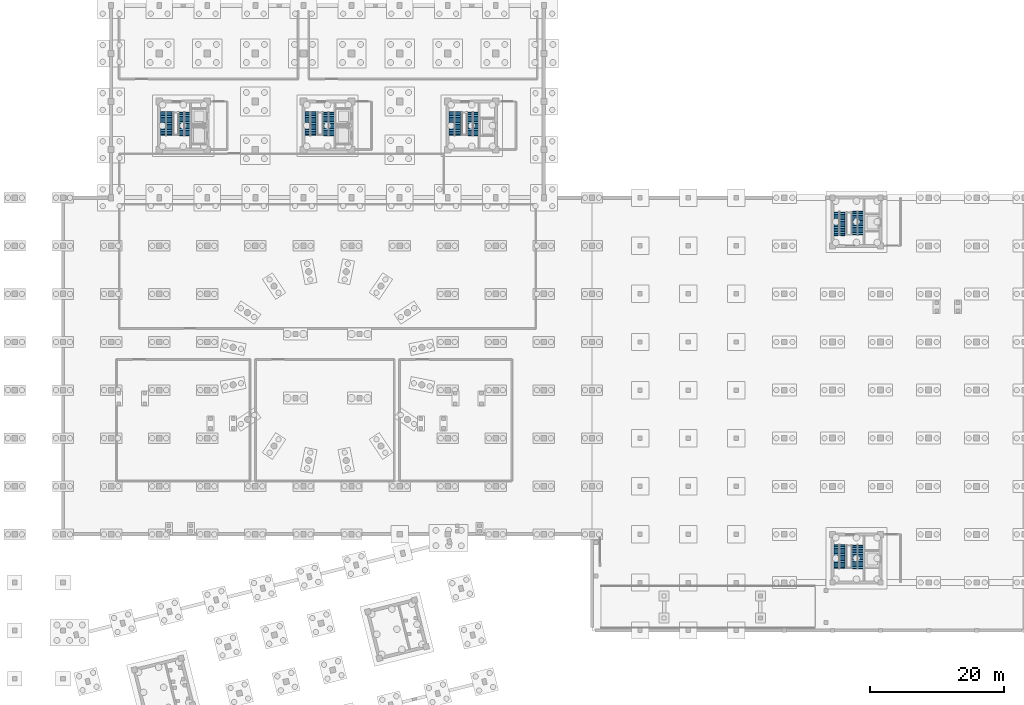
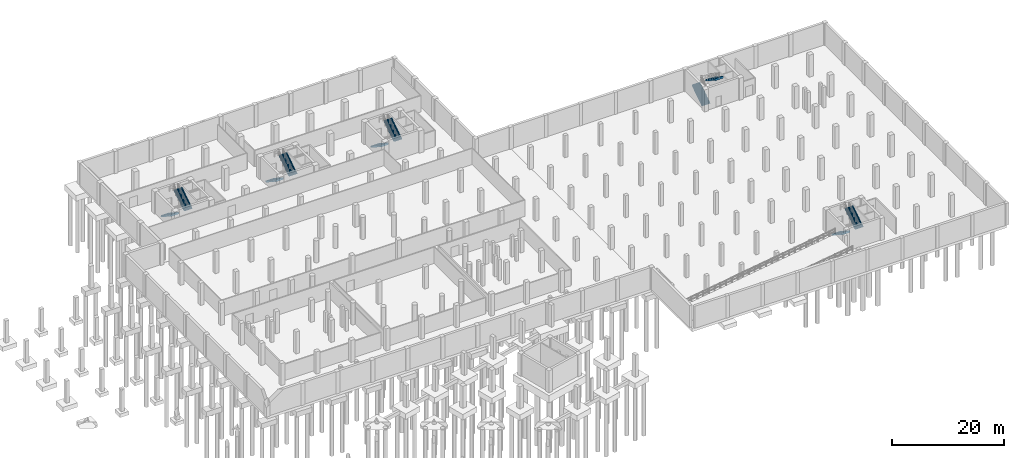
# One storey, part 15 of 19: 10 stair flights, 5 elements without a shape of their own.
"""IFC4 building model written with IfcOpenShell, lengths in metres."""

from ifc_helpers import new_model, si_unit, direction, frame, origin, place, context, subcontext, project, spatial, polyline, outline, extrude, material, type_object, element, aggregate, save


model = new_model("IFC4")

# Units and contexts
model_context = context("Model", 3, precision=1e-05, world=origin(), true_north=direction((0.0, 1.0)))
body_context = subcontext(model_context, "Body", "Model", "MODEL_VIEW")
ifc_project = project(units=[si_unit("LENGTHUNIT", "METRE"), si_unit("AREAUNIT", "SQUARE_METRE"), si_unit("VOLUMEUNIT", "CUBIC_METRE"), si_unit("PLANEANGLEUNIT", "RADIAN"), si_unit("MASSUNIT", "GRAM", prefix="KILO")], contexts=[model_context])

# Site, building, storey
site_placement = place(None, origin())
site = spatial("IfcSite", under=ifc_project, at=site_placement, CompositionType="ELEMENT")
building_placement = place(site_placement, origin())
building = spatial("IfcBuilding", under=site, at=building_placement, Name="Qiaolan Assembly House", CompositionType="ELEMENT")
storey_placement = place(building_placement, frame((0.0, 0.0, -4.800048828125)))
storey = spatial("IfcBuildingStorey", under=building, at=storey_placement, Name="B1", CompositionType="ELEMENT", Elevation=-4.800048828125)

# Stair, stair flights
ifc_material = material(Name="Concrete C40/50", Category="concrete")
stair_type = type_object("IfcStairType", Name="STR-BSMT-480", PredefinedType="HALF_TURN_STAIR", material=ifc_material)
stair_1_placement = place(storey_placement, origin())
stair_1 = element("IfcStair", 1, at=stair_1_placement, inside=storey, type_object=stair_type, Name="ST-04 enclosed egress stair CORE-A B1", PredefinedType="HALF_TURN_STAIR")
stair_flight_type = type_object("IfcStairFlightType", Name="STR-BSMT-480-FLT", PredefinedType="STRAIGHT", material=ifc_material)
stair_flight_1_placement = place(storey_placement, frame((44.25, 99.2099609375, 0.0), z_axis=(0.0, 0.0, 1.0), x_axis=(0.0, -1.0, 0.0)))
stair_flight_1 = element("IfcStairFlight", 2, at=stair_flight_1_placement, type_object=stair_flight_type, Name="ST-04F stair flight FLT-CORE-A-B1-1", NumberOfRisers=14, NumberOfTreads=13, PredefinedType="STRAIGHT", RiserHeight=0.171429, TreadLength=0.26, context=body_context, shape_type="SweptSolid", body=[
    extrude(outline(polyline([(-0.10009765625, -0.1201171875), (-0.10009765625, 0.0), (0.0, 0.0), (0.0, 0.17138671875), (0.260009765625, 0.17138671875), (0.260009765625, 0.3427734375), (0.52001953125, 0.3427734375), (0.52001953125, 0.514404296875), (0.780029296875, 0.514404296875), (0.780029296875, 0.685791015625), (1.0400390625, 0.685791015625), (1.0400390625, 0.857177734375), (1.300048828125, 0.857177734375), (1.300048828125, 1.028564453125), (1.56005859375, 1.028564453125), (1.56005859375, 1.199951171875), (1.820068359375, 1.199951171875), (1.820068359375, 1.371337890625), (2.080078125, 1.371337890625), (2.080078125, 1.54296875), (2.340087890625, 1.54296875), (2.340087890625, 1.71435546875), (2.60009765625, 1.71435546875), (2.60009765625, 1.8857421875), (2.860107421875, 1.8857421875), (2.860107421875, 2.05712890625), (3.1201171875, 2.05712890625), (3.1201171875, 2.228515625), (3.3798828125, 2.228515625), (3.3798828125, 2.39990234375), (3.5, 2.39990234375), (3.5, 1.989013671875), (3.3798828125, 1.989013671875), (0.18115234375, -0.1201171875), (-0.10009765625, -0.1201171875)])), frame((0.0, 0.83984375, 0.0), z_axis=(0.0, -1.0, 0.0), x_axis=(1.0, 0.0, 0.0)), (0.0, 0.0, 1.0), 1.679931640625),
])
stair_flight_2_placement = place(storey_placement, frame((47.0, 95.7099609375, 2.400146484375), z_axis=(0.0, 0.0, 1.0), x_axis=(0.0, 1.0, 0.0)))
stair_flight_2 = element("IfcStairFlight", 3, at=stair_flight_2_placement, type_object=stair_flight_type, Name="ST-04F stair flight FLT-CORE-A-B1-2", NumberOfRisers=14, NumberOfTreads=13, PredefinedType="STRAIGHT", RiserHeight=0.171429, TreadLength=0.26, context=body_context, shape_type="SweptSolid", body=[
    extrude(outline(polyline([(-0.10009765625, -0.1201171875), (-0.10009765625, 0.0), (0.0, 0.0), (0.0, 0.17138671875), (0.260009765625, 0.17138671875), (0.260009765625, 0.3427734375), (0.52001953125, 0.3427734375), (0.52001953125, 0.514404296875), (0.780029296875, 0.514404296875), (0.780029296875, 0.685791015625), (1.0400390625, 0.685791015625), (1.0400390625, 0.857177734375), (1.300048828125, 0.857177734375), (1.300048828125, 1.028564453125), (1.56005859375, 1.028564453125), (1.56005859375, 1.199951171875), (1.820068359375, 1.199951171875), (1.820068359375, 1.371337890625), (2.080078125, 1.371337890625), (2.080078125, 1.54296875), (2.340087890625, 1.54296875), (2.340087890625, 1.71435546875), (2.60009765625, 1.71435546875), (2.60009765625, 1.8857421875), (2.860107421875, 1.8857421875), (2.860107421875, 2.05712890625), (3.1201171875, 2.05712890625), (3.1201171875, 2.228515625), (3.3798828125, 2.228515625), (3.3798828125, 2.39990234375), (3.5, 2.39990234375), (3.5, 1.989013671875), (3.3798828125, 1.989013671875), (0.18115234375, -0.1201171875), (-0.10009765625, -0.1201171875)])), frame((0.0, 0.83984375, 0.0), z_axis=(0.0, -1.0, 0.0), x_axis=(1.0, 0.0, 0.0)), (0.0, 0.0, 1.0), 1.679931640625),
])
aggregate(stair_1, [stair_flight_1, stair_flight_2])

stair_2_placement = place(storey_placement, origin())
stair_2 = element("IfcStair", 4, at=stair_2_placement, inside=storey, type_object=stair_type, Name="ST-04 enclosed egress stair CORE-B B1", PredefinedType="HALF_TURN_STAIR")
stair_flight_3_placement = place(storey_placement, frame((65.85009765625, 99.2099609375, 0.0), z_axis=(0.0, 0.0, 1.0), x_axis=(0.0, -1.0, 0.0)))
stair_flight_3 = element("IfcStairFlight", 5, at=stair_flight_3_placement, type_object=stair_flight_type, Name="ST-04F stair flight FLT-CORE-B-B1-1", NumberOfRisers=14, NumberOfTreads=13, PredefinedType="STRAIGHT", RiserHeight=0.171429, TreadLength=0.26, context=body_context, shape_type="SweptSolid", body=[
    extrude(outline(polyline([(-0.10009765625, -0.1201171875), (-0.10009765625, 0.0), (0.0, 0.0), (0.0, 0.17138671875), (0.260009765625, 0.17138671875), (0.260009765625, 0.3427734375), (0.52001953125, 0.3427734375), (0.52001953125, 0.514404296875), (0.780029296875, 0.514404296875), (0.780029296875, 0.685791015625), (1.0400390625, 0.685791015625), (1.0400390625, 0.857177734375), (1.300048828125, 0.857177734375), (1.300048828125, 1.028564453125), (1.56005859375, 1.028564453125), (1.56005859375, 1.199951171875), (1.820068359375, 1.199951171875), (1.820068359375, 1.371337890625), (2.080078125, 1.371337890625), (2.080078125, 1.54296875), (2.340087890625, 1.54296875), (2.340087890625, 1.71435546875), (2.60009765625, 1.71435546875), (2.60009765625, 1.8857421875), (2.860107421875, 1.8857421875), (2.860107421875, 2.05712890625), (3.1201171875, 2.05712890625), (3.1201171875, 2.228515625), (3.3798828125, 2.228515625), (3.3798828125, 2.39990234375), (3.5, 2.39990234375), (3.5, 1.989013671875), (3.3798828125, 1.989013671875), (0.18115234375, -0.1201171875), (-0.10009765625, -0.1201171875)])), frame((0.0, 0.83984375, 0.0), z_axis=(0.0, -1.0, 0.0), x_axis=(1.0, 0.0, 0.0)), (0.0, 0.0, 1.0), 1.679931640625),
])
stair_flight_4_placement = place(storey_placement, frame((68.60009765625, 95.7099609375, 2.400146484375), z_axis=(0.0, 0.0, 1.0), x_axis=(0.0, 1.0, 0.0)))
stair_flight_4 = element("IfcStairFlight", 6, at=stair_flight_4_placement, type_object=stair_flight_type, Name="ST-04F stair flight FLT-CORE-B-B1-2", NumberOfRisers=14, NumberOfTreads=13, PredefinedType="STRAIGHT", RiserHeight=0.171429, TreadLength=0.26, context=body_context, shape_type="SweptSolid", body=[
    extrude(outline(polyline([(-0.10009765625, -0.1201171875), (-0.10009765625, 0.0), (0.0, 0.0), (0.0, 0.17138671875), (0.260009765625, 0.17138671875), (0.260009765625, 0.3427734375), (0.52001953125, 0.3427734375), (0.52001953125, 0.514404296875), (0.780029296875, 0.514404296875), (0.780029296875, 0.685791015625), (1.0400390625, 0.685791015625), (1.0400390625, 0.857177734375), (1.300048828125, 0.857177734375), (1.300048828125, 1.028564453125), (1.56005859375, 1.028564453125), (1.56005859375, 1.199951171875), (1.820068359375, 1.199951171875), (1.820068359375, 1.371337890625), (2.080078125, 1.371337890625), (2.080078125, 1.54296875), (2.340087890625, 1.54296875), (2.340087890625, 1.71435546875), (2.60009765625, 1.71435546875), (2.60009765625, 1.8857421875), (2.860107421875, 1.8857421875), (2.860107421875, 2.05712890625), (3.1201171875, 2.05712890625), (3.1201171875, 2.228515625), (3.3798828125, 2.228515625), (3.3798828125, 2.39990234375), (3.5, 2.39990234375), (3.5, 1.989013671875), (3.3798828125, 1.989013671875), (0.18115234375, -0.1201171875), (-0.10009765625, -0.1201171875)])), frame((0.0, 0.83984375, 0.0), z_axis=(0.0, -1.0, 0.0), x_axis=(1.0, 0.0, 0.0)), (0.0, 0.0, 1.0), 1.679931640625),
])
aggregate(stair_2, [stair_flight_3, stair_flight_4])

stair_3_placement = place(storey_placement, origin())
stair_3 = element("IfcStair", 7, at=stair_3_placement, inside=storey, type_object=stair_type, Name="ST-04 enclosed egress stair CORE-G B1", PredefinedType="HALF_TURN_STAIR")
stair_flight_5_placement = place(storey_placement, frame((87.449951171875, 99.2099609375, 0.0), z_axis=(0.0, 0.0, 1.0), x_axis=(0.0, -1.0, 0.0)))
stair_flight_5 = element("IfcStairFlight", 8, at=stair_flight_5_placement, type_object=stair_flight_type, Name="ST-04F stair flight FLT-CORE-G-B1-1", NumberOfRisers=14, NumberOfTreads=13, PredefinedType="STRAIGHT", RiserHeight=0.171429, TreadLength=0.26, context=body_context, shape_type="SweptSolid", body=[
    extrude(outline(polyline([(-0.10009765625, -0.1201171875), (-0.10009765625, 0.0), (0.0, 0.0), (0.0, 0.17138671875), (0.260009765625, 0.17138671875), (0.260009765625, 0.3427734375), (0.52001953125, 0.3427734375), (0.52001953125, 0.514404296875), (0.780029296875, 0.514404296875), (0.780029296875, 0.685791015625), (1.0400390625, 0.685791015625), (1.0400390625, 0.857177734375), (1.300048828125, 0.857177734375), (1.300048828125, 1.028564453125), (1.56005859375, 1.028564453125), (1.56005859375, 1.199951171875), (1.820068359375, 1.199951171875), (1.820068359375, 1.371337890625), (2.080078125, 1.371337890625), (2.080078125, 1.54296875), (2.340087890625, 1.54296875), (2.340087890625, 1.71435546875), (2.60009765625, 1.71435546875), (2.60009765625, 1.8857421875), (2.860107421875, 1.8857421875), (2.860107421875, 2.05712890625), (3.1201171875, 2.05712890625), (3.1201171875, 2.228515625), (3.3798828125, 2.228515625), (3.3798828125, 2.39990234375), (3.5, 2.39990234375), (3.5, 1.989013671875), (3.3798828125, 1.989013671875), (0.18115234375, -0.1201171875), (-0.10009765625, -0.1201171875)])), frame((0.0, 0.83984375, 0.0), z_axis=(0.0, -1.0, 0.0), x_axis=(1.0, 0.0, 0.0)), (0.0, 0.0, 1.0), 1.679931640625),
])
stair_flight_6_placement = place(storey_placement, frame((90.199951171875, 95.7099609375, 2.400146484375), z_axis=(0.0, 0.0, 1.0), x_axis=(0.0, 1.0, 0.0)))
stair_flight_6 = element("IfcStairFlight", 9, at=stair_flight_6_placement, type_object=stair_flight_type, Name="ST-04F stair flight FLT-CORE-G-B1-2", NumberOfRisers=14, NumberOfTreads=13, PredefinedType="STRAIGHT", RiserHeight=0.171429, TreadLength=0.26, context=body_context, shape_type="SweptSolid", body=[
    extrude(outline(polyline([(-0.10009765625, -0.1201171875), (-0.10009765625, 0.0), (0.0, 0.0), (0.0, 0.17138671875), (0.260009765625, 0.17138671875), (0.260009765625, 0.3427734375), (0.52001953125, 0.3427734375), (0.52001953125, 0.514404296875), (0.780029296875, 0.514404296875), (0.780029296875, 0.685791015625), (1.0400390625, 0.685791015625), (1.0400390625, 0.857177734375), (1.300048828125, 0.857177734375), (1.300048828125, 1.028564453125), (1.56005859375, 1.028564453125), (1.56005859375, 1.199951171875), (1.820068359375, 1.199951171875), (1.820068359375, 1.371337890625), (2.080078125, 1.371337890625), (2.080078125, 1.54296875), (2.340087890625, 1.54296875), (2.340087890625, 1.71435546875), (2.60009765625, 1.71435546875), (2.60009765625, 1.8857421875), (2.860107421875, 1.8857421875), (2.860107421875, 2.05712890625), (3.1201171875, 2.05712890625), (3.1201171875, 2.228515625), (3.3798828125, 2.228515625), (3.3798828125, 2.39990234375), (3.5, 2.39990234375), (3.5, 1.989013671875), (3.3798828125, 1.989013671875), (0.18115234375, -0.1201171875), (-0.10009765625, -0.1201171875)])), frame((0.0, 0.83984375, 0.0), z_axis=(0.0, -1.0, 0.0), x_axis=(1.0, 0.0, 0.0)), (0.0, 0.0, 1.0), 1.679931640625),
])
aggregate(stair_3, [stair_flight_5, stair_flight_6])

stair_4_placement = place(storey_placement, origin())
stair_4 = element("IfcStair", 10, at=stair_4_placement, inside=storey, type_object=stair_type, Name="ST-04 enclosed egress stair CORE-E B1", PredefinedType="HALF_TURN_STAIR")
stair_flight_7_placement = place(storey_placement, frame((145.050048828125, 34.409912109375, 0.0), z_axis=(0.0, 0.0, 1.0), x_axis=(0.0, -1.0, 0.0)))
stair_flight_7 = element("IfcStairFlight", 11, at=stair_flight_7_placement, type_object=stair_flight_type, Name="ST-04F stair flight FLT-CORE-E-B1-1", NumberOfRisers=14, NumberOfTreads=13, PredefinedType="STRAIGHT", RiserHeight=0.171429, TreadLength=0.26, context=body_context, shape_type="SweptSolid", body=[
    extrude(outline(polyline([(-0.10009765625, -0.1201171875), (-0.10009765625, 0.0), (0.0, 0.0), (0.0, 0.17138671875), (0.260009765625, 0.17138671875), (0.260009765625, 0.3427734375), (0.52001953125, 0.3427734375), (0.52001953125, 0.514404296875), (0.780029296875, 0.514404296875), (0.780029296875, 0.685791015625), (1.0400390625, 0.685791015625), (1.0400390625, 0.857177734375), (1.300048828125, 0.857177734375), (1.300048828125, 1.028564453125), (1.56005859375, 1.028564453125), (1.56005859375, 1.199951171875), (1.820068359375, 1.199951171875), (1.820068359375, 1.371337890625), (2.080078125, 1.371337890625), (2.080078125, 1.54296875), (2.340087890625, 1.54296875), (2.340087890625, 1.71435546875), (2.60009765625, 1.71435546875), (2.60009765625, 1.8857421875), (2.860107421875, 1.8857421875), (2.860107421875, 2.05712890625), (3.1201171875, 2.05712890625), (3.1201171875, 2.228515625), (3.3798828125, 2.228515625), (3.3798828125, 2.39990234375), (3.5, 2.39990234375), (3.5, 1.989013671875), (3.3798828125, 1.989013671875), (0.18115234375, -0.1201171875), (-0.10009765625, -0.1201171875)])), frame((0.0, 0.83984375, 0.0), z_axis=(0.0, -1.0, 0.0), x_axis=(1.0, 0.0, 0.0)), (0.0, 0.0, 1.0), 1.679931640625),
])
stair_flight_8_placement = place(storey_placement, frame((147.800048828125, 30.909912109375, 2.400146484375), z_axis=(0.0, 0.0, 1.0), x_axis=(0.0, 1.0, 0.0)))
stair_flight_8 = element("IfcStairFlight", 12, at=stair_flight_8_placement, type_object=stair_flight_type, Name="ST-04F stair flight FLT-CORE-E-B1-2", NumberOfRisers=14, NumberOfTreads=13, PredefinedType="STRAIGHT", RiserHeight=0.171429, TreadLength=0.26, context=body_context, shape_type="SweptSolid", body=[
    extrude(outline(polyline([(-0.10009765625, -0.1201171875), (-0.10009765625, 0.0), (0.0, 0.0), (0.0, 0.17138671875), (0.260009765625, 0.17138671875), (0.260009765625, 0.3427734375), (0.52001953125, 0.3427734375), (0.52001953125, 0.514404296875), (0.780029296875, 0.514404296875), (0.780029296875, 0.685791015625), (1.0400390625, 0.685791015625), (1.0400390625, 0.857177734375), (1.300048828125, 0.857177734375), (1.300048828125, 1.028564453125), (1.56005859375, 1.028564453125), (1.56005859375, 1.199951171875), (1.820068359375, 1.199951171875), (1.820068359375, 1.371337890625), (2.080078125, 1.371337890625), (2.080078125, 1.54296875), (2.340087890625, 1.54296875), (2.340087890625, 1.71435546875), (2.60009765625, 1.71435546875), (2.60009765625, 1.8857421875), (2.860107421875, 1.8857421875), (2.860107421875, 2.05712890625), (3.1201171875, 2.05712890625), (3.1201171875, 2.228515625), (3.3798828125, 2.228515625), (3.3798828125, 2.39990234375), (3.5, 2.39990234375), (3.5, 1.989013671875), (3.3798828125, 1.989013671875), (0.18115234375, -0.1201171875), (-0.10009765625, -0.1201171875)])), frame((0.0, 0.83984375, 0.0), z_axis=(0.0, -1.0, 0.0), x_axis=(1.0, 0.0, 0.0)), (0.0, 0.0, 1.0), 1.679931640625),
])
aggregate(stair_4, [stair_flight_7, stair_flight_8])

stair_5_placement = place(storey_placement, origin())
stair_5 = element("IfcStair", 13, at=stair_5_placement, inside=storey, type_object=stair_type, Name="ST-04 enclosed egress stair CORE-F B1", PredefinedType="HALF_TURN_STAIR")
stair_flight_9_placement = place(storey_placement, frame((145.050048828125, 80.7900390625, 0.0), z_axis=(0.0, 0.0, 1.0), x_axis=(0.0, 1.0, 0.0)))
stair_flight_9 = element("IfcStairFlight", 14, at=stair_flight_9_placement, type_object=stair_flight_type, Name="ST-04F stair flight FLT-CORE-F-B1-1", NumberOfRisers=14, NumberOfTreads=13, PredefinedType="STRAIGHT", RiserHeight=0.171429, TreadLength=0.26, context=body_context, shape_type="SweptSolid", body=[
    extrude(outline(polyline([(-0.10009765625, -0.1201171875), (-0.10009765625, 0.0), (0.0, 0.0), (0.0, 0.17138671875), (0.260009765625, 0.17138671875), (0.260009765625, 0.3427734375), (0.52001953125, 0.3427734375), (0.52001953125, 0.514404296875), (0.780029296875, 0.514404296875), (0.780029296875, 0.685791015625), (1.0400390625, 0.685791015625), (1.0400390625, 0.857177734375), (1.300048828125, 0.857177734375), (1.300048828125, 1.028564453125), (1.56005859375, 1.028564453125), (1.56005859375, 1.199951171875), (1.820068359375, 1.199951171875), (1.820068359375, 1.371337890625), (2.080078125, 1.371337890625), (2.080078125, 1.54296875), (2.340087890625, 1.54296875), (2.340087890625, 1.71435546875), (2.60009765625, 1.71435546875), (2.60009765625, 1.8857421875), (2.860107421875, 1.8857421875), (2.860107421875, 2.05712890625), (3.1201171875, 2.05712890625), (3.1201171875, 2.228515625), (3.3798828125, 2.228515625), (3.3798828125, 2.39990234375), (3.5, 2.39990234375), (3.5, 1.989013671875), (3.3798828125, 1.989013671875), (0.18115234375, -0.1201171875), (-0.10009765625, -0.1201171875)])), frame((0.0, 0.83984375, 0.0), z_axis=(0.0, -1.0, 0.0), x_axis=(1.0, 0.0, 0.0)), (0.0, 0.0, 1.0), 1.679931640625),
])
stair_flight_10_placement = place(storey_placement, frame((147.800048828125, 84.2900390625, 2.400146484375), z_axis=(0.0, 0.0, 1.0), x_axis=(0.0, -1.0, 0.0)))
stair_flight_10 = element("IfcStairFlight", 15, at=stair_flight_10_placement, type_object=stair_flight_type, Name="ST-04F stair flight FLT-CORE-F-B1-2", NumberOfRisers=14, NumberOfTreads=13, PredefinedType="STRAIGHT", RiserHeight=0.171429, TreadLength=0.26, context=body_context, shape_type="SweptSolid", body=[
    extrude(outline(polyline([(-0.10009765625, -0.1201171875), (-0.10009765625, 0.0), (0.0, 0.0), (0.0, 0.17138671875), (0.260009765625, 0.17138671875), (0.260009765625, 0.3427734375), (0.52001953125, 0.3427734375), (0.52001953125, 0.514404296875), (0.780029296875, 0.514404296875), (0.780029296875, 0.685791015625), (1.0400390625, 0.685791015625), (1.0400390625, 0.857177734375), (1.300048828125, 0.857177734375), (1.300048828125, 1.028564453125), (1.56005859375, 1.028564453125), (1.56005859375, 1.199951171875), (1.820068359375, 1.199951171875), (1.820068359375, 1.371337890625), (2.080078125, 1.371337890625), (2.080078125, 1.54296875), (2.340087890625, 1.54296875), (2.340087890625, 1.71435546875), (2.60009765625, 1.71435546875), (2.60009765625, 1.8857421875), (2.860107421875, 1.8857421875), (2.860107421875, 2.05712890625), (3.1201171875, 2.05712890625), (3.1201171875, 2.228515625), (3.3798828125, 2.228515625), (3.3798828125, 2.39990234375), (3.5, 2.39990234375), (3.5, 1.989013671875), (3.3798828125, 1.989013671875), (0.18115234375, -0.1201171875), (-0.10009765625, -0.1201171875)])), frame((0.0, 0.83984375, 0.0), z_axis=(0.0, -1.0, 0.0), x_axis=(1.0, 0.0, 0.0)), (0.0, 0.0, 1.0), 1.679931640625),
])
aggregate(stair_5, [stair_flight_9, stair_flight_10])

save(model, "model.ifc")
